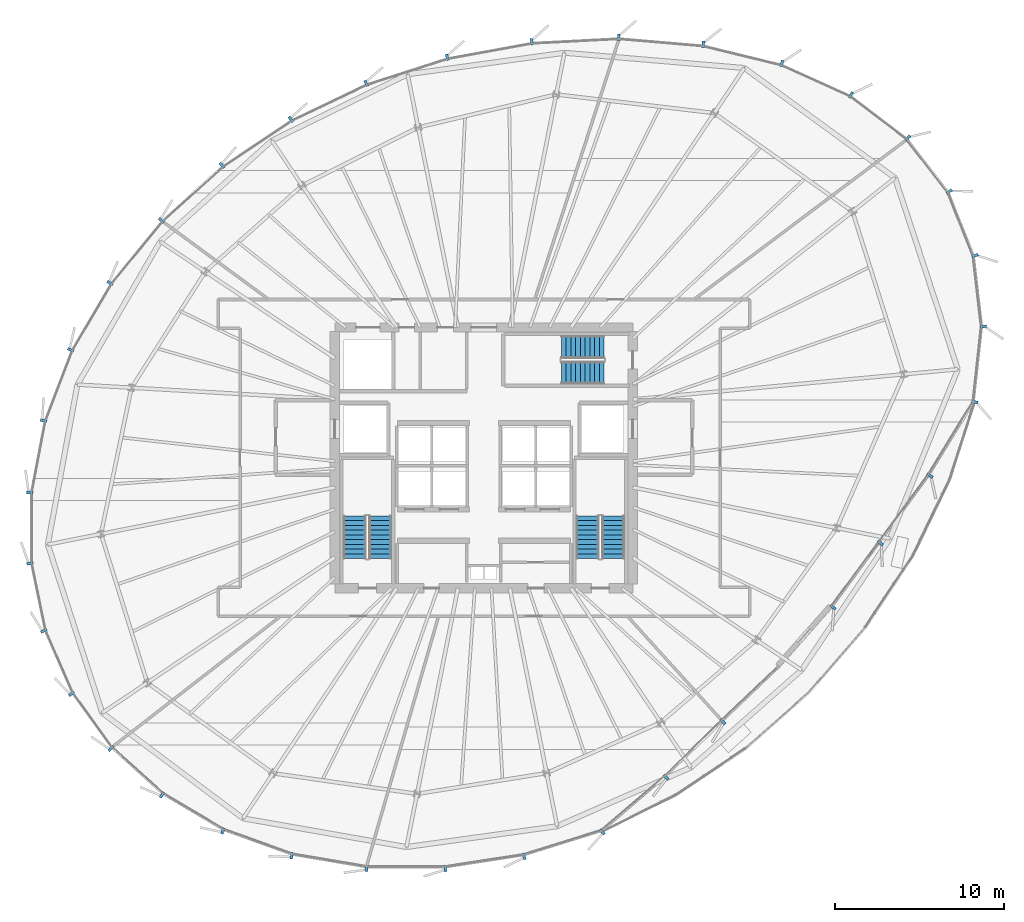
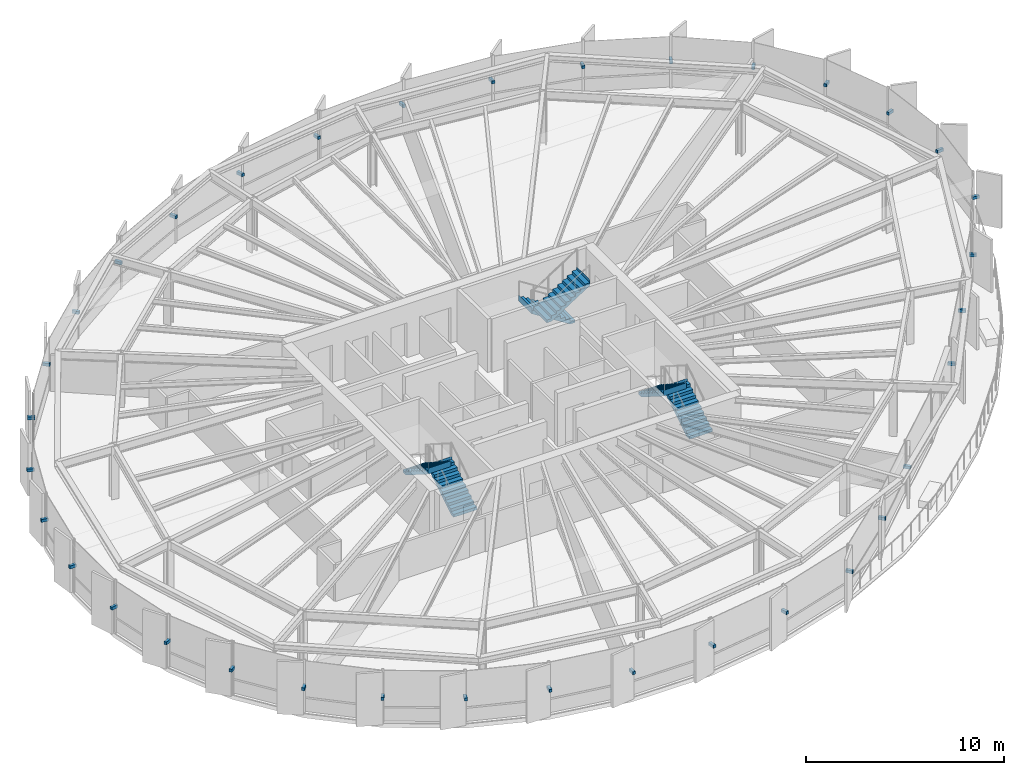
# One storey, part 30 of 34: 35 discrete accessories, 6 stair flights, 3 elements without a shape of their own.
"""IFC4 building model written with IfcOpenShell, lengths in metres."""

from ifc_helpers import new_model, si_unit, direction, frame, origin, origin_2d, place, context, subcontext, project, spatial, polyline, rectangle, outline, extrude, source, transform, mapped, material, type_object, element, aggregate, save


model = new_model("IFC4")

# Units and contexts
model_context = context("Model", 3, precision=1e-05, world=origin(), true_north=direction((0.0, 1.0)))
body_context = subcontext(model_context, "Body", "Model", "MODEL_VIEW")
ifc_project = project(units=[si_unit("LENGTHUNIT", "METRE"), si_unit("AREAUNIT", "SQUARE_METRE"), si_unit("VOLUMEUNIT", "CUBIC_METRE"), si_unit("PLANEANGLEUNIT", "RADIAN"), si_unit("MASSUNIT", "GRAM", prefix="KILO"), si_unit("THERMODYNAMICTEMPERATUREUNIT", "KELVIN")], contexts=[model_context])

# Site, building, storey
site_placement = place(None, origin())
site = spatial("IfcSite", under=ifc_project, at=site_placement, CompositionType="ELEMENT")
building_placement = place(site_placement, origin())
building = spatial("IfcBuilding", under=site, at=building_placement, Name="Kethvar Cultural Tower", CompositionType="ELEMENT")
storey_placement = place(building_placement, frame((0.0, 0.0, 153.64990234375)))
storey = spatial("IfcBuildingStorey", under=building, at=storey_placement, Name="L39", CompositionType="ELEMENT", Elevation=153.64990234375)

# Stair, stair flights
ifc_material_1 = material(Name="Concrete C40/50", Category="concrete")
stair_type = type_object("IfcStairType", Name="ST-DOGLEG-135", PredefinedType="HALF_TURN_STAIR", material=ifc_material_1)
stair_1_placement = place(storey_placement, origin())
stair_1 = element("IfcStair", 1, at=stair_1_placement, inside=storey, type_object=stair_type, Name="L39 Core Exit Stair 1", PredefinedType="HALF_TURN_STAIR")
stair_flight_type = type_object("IfcStairFlightType", Name="FL-STRAIGHT-135", PredefinedType="STRAIGHT", material=ifc_material_1)
stair_flight_1_placement = place(storey_placement, frame((40.675048828125, 21.85009765625, 0.0), z_axis=(0.0, 0.0, 1.0), x_axis=(0.0, 1.0, 0.0)))
stair_flight_1 = element("IfcStairFlight", 2, at=stair_flight_1_placement, type_object=stair_flight_type, Name="ST-01 flight 1", NumberOfRisers=10, NumberOfTreads=9, PredefinedType="STRAIGHT", RiserHeight=0.1775, TreadLength=0.28, context=body_context, shape_type="SweptSolid", body=[
    extrude(outline(polyline([(-0.0009765625, -0.0009765625), (-0.0009765625, 0.177490234375), (0.280029296875, 0.177490234375), (0.280029296875, 0.35498046875), (0.56005859375, 0.35498046875), (0.56005859375, 0.532470703125), (0.840087890625, 0.532470703125), (0.840087890625, 0.7099609375), (1.1201171875, 0.7099609375), (1.1201171875, 0.887451171875), (1.39990234375, 0.887451171875), (1.39990234375, 1.06494140625), (1.679931640625, 1.06494140625), (1.679931640625, 1.242431640625), (1.9599609375, 1.242431640625), (1.9599609375, 1.419921875), (2.239990234375, 1.419921875), (2.239990234375, 1.597412109375), (2.52001953125, 1.597412109375), (2.52001953125, 1.77490234375), (2.52099609375, 1.77490234375), (2.52099609375, 1.419921875), (0.280029296875, 0.0), (0.0, -0.0009765625), (-0.0009765625, -0.0009765625)])), frame((0.0, 0.675048828125, 0.0), z_axis=(0.0, -1.0, 0.0), x_axis=(1.0, 0.0, 0.0)), (0.0, 0.0, 1.0), 1.35009765625),
])
stair_flight_2_placement = place(storey_placement, frame((39.1650390625, 24.3701171875, 1.775146484375), z_axis=(0.0, 0.0, 1.0), x_axis=(0.0, -1.0, 0.0)))
stair_flight_2 = element("IfcStairFlight", 3, at=stair_flight_2_placement, type_object=stair_flight_type, Name="ST-01 flight 2", NumberOfRisers=10, NumberOfTreads=9, PredefinedType="STRAIGHT", RiserHeight=0.1775, TreadLength=0.28, context=body_context, shape_type="SweptSolid", body=[
    extrude(outline(polyline([(-0.0009765625, -0.0009765625), (-0.0009765625, 0.177490234375), (0.280029296875, 0.177490234375), (0.280029296875, 0.35498046875), (0.56005859375, 0.35498046875), (0.56005859375, 0.532470703125), (0.840087890625, 0.532470703125), (0.840087890625, 0.7099609375), (1.1201171875, 0.7099609375), (1.1201171875, 0.887451171875), (1.39990234375, 0.887451171875), (1.39990234375, 1.06494140625), (1.679931640625, 1.06494140625), (1.679931640625, 1.242431640625), (1.9599609375, 1.242431640625), (1.9599609375, 1.419921875), (2.239990234375, 1.419921875), (2.239990234375, 1.597412109375), (2.52001953125, 1.597412109375), (2.52001953125, 1.77490234375), (2.52099609375, 1.77490234375), (2.52099609375, 1.419921875), (0.280029296875, 0.0), (0.0, -0.0009765625), (-0.0009765625, -0.0009765625)])), frame((0.0, 0.675048828125, 0.0), z_axis=(0.0, -1.0, 0.0), x_axis=(1.0, 0.0, 0.0)), (0.0, 0.0, 1.0), 1.35009765625),
])
aggregate(stair_1, [stair_flight_1, stair_flight_2])

stair_2_placement = place(storey_placement, origin())
stair_2 = element("IfcStair", 4, at=stair_2_placement, inside=storey, type_object=stair_type, Name="L39 Core Exit Stair 2", PredefinedType="HALF_TURN_STAIR")
stair_flight_3_placement = place(storey_placement, frame((54.43505859375, 21.85009765625, 0.0), z_axis=(0.0, 0.0, 1.0), x_axis=(0.0, 1.0, 0.0)))
stair_flight_3 = element("IfcStairFlight", 5, at=stair_flight_3_placement, type_object=stair_flight_type, Name="ST-02 flight 1", NumberOfRisers=10, NumberOfTreads=9, PredefinedType="STRAIGHT", RiserHeight=0.1775, TreadLength=0.28, context=body_context, shape_type="SweptSolid", body=[
    extrude(outline(polyline([(-0.0009765625, -0.0009765625), (-0.0009765625, 0.177490234375), (0.280029296875, 0.177490234375), (0.280029296875, 0.35498046875), (0.56005859375, 0.35498046875), (0.56005859375, 0.532470703125), (0.840087890625, 0.532470703125), (0.840087890625, 0.7099609375), (1.1201171875, 0.7099609375), (1.1201171875, 0.887451171875), (1.39990234375, 0.887451171875), (1.39990234375, 1.06494140625), (1.679931640625, 1.06494140625), (1.679931640625, 1.242431640625), (1.9599609375, 1.242431640625), (1.9599609375, 1.419921875), (2.239990234375, 1.419921875), (2.239990234375, 1.597412109375), (2.52001953125, 1.597412109375), (2.52001953125, 1.77490234375), (2.52099609375, 1.77490234375), (2.52099609375, 1.419921875), (0.280029296875, 0.0), (0.0, -0.0009765625), (-0.0009765625, -0.0009765625)])), frame((0.0, 0.675048828125, 0.0), z_axis=(0.0, -1.0, 0.0), x_axis=(1.0, 0.0, 0.0)), (0.0, 0.0, 1.0), 1.35009765625),
])
stair_flight_4_placement = place(storey_placement, frame((52.925048828125, 24.3701171875, 1.775146484375), z_axis=(0.0, 0.0, 1.0), x_axis=(0.0, -1.0, 0.0)))
stair_flight_4 = element("IfcStairFlight", 6, at=stair_flight_4_placement, type_object=stair_flight_type, Name="ST-02 flight 2", NumberOfRisers=10, NumberOfTreads=9, PredefinedType="STRAIGHT", RiserHeight=0.1775, TreadLength=0.28, context=body_context, shape_type="SweptSolid", body=[
    extrude(outline(polyline([(-0.0009765625, -0.0009765625), (-0.0009765625, 0.177490234375), (0.280029296875, 0.177490234375), (0.280029296875, 0.35498046875), (0.56005859375, 0.35498046875), (0.56005859375, 0.532470703125), (0.840087890625, 0.532470703125), (0.840087890625, 0.7099609375), (1.1201171875, 0.7099609375), (1.1201171875, 0.887451171875), (1.39990234375, 0.887451171875), (1.39990234375, 1.06494140625), (1.679931640625, 1.06494140625), (1.679931640625, 1.242431640625), (1.9599609375, 1.242431640625), (1.9599609375, 1.419921875), (2.239990234375, 1.419921875), (2.239990234375, 1.597412109375), (2.52001953125, 1.597412109375), (2.52001953125, 1.77490234375), (2.52099609375, 1.77490234375), (2.52099609375, 1.419921875), (0.280029296875, 0.0), (0.0, -0.0009765625), (-0.0009765625, -0.0009765625)])), frame((0.0, 0.675048828125, 0.0), z_axis=(0.0, -1.0, 0.0), x_axis=(1.0, 0.0, 0.0)), (0.0, 0.0, 1.0), 1.35009765625),
])
aggregate(stair_2, [stair_flight_3, stair_flight_4])

stair_3_placement = place(storey_placement, origin())
stair_3 = element("IfcStair", 7, at=stair_3_placement, inside=storey, type_object=stair_type, Name="L39 Core Exit Stair 3", PredefinedType="HALF_TURN_STAIR")
stair_flight_5_placement = place(storey_placement, frame((53.89990234375, 34.3349609375, 0.0), z_axis=(0.0, 0.0, 1.0), x_axis=(-1.0, 0.0, 0.0)))
stair_flight_5 = element("IfcStairFlight", 8, at=stair_flight_5_placement, type_object=stair_flight_type, Name="ST-03 flight 1", NumberOfRisers=10, NumberOfTreads=9, PredefinedType="STRAIGHT", RiserHeight=0.1775, TreadLength=0.28, context=body_context, shape_type="SweptSolid", body=[
    extrude(outline(polyline([(-0.0009765625, -0.0009765625), (-0.0009765625, 0.177490234375), (0.280029296875, 0.177490234375), (0.280029296875, 0.35498046875), (0.56005859375, 0.35498046875), (0.56005859375, 0.532470703125), (0.840087890625, 0.532470703125), (0.840087890625, 0.7099609375), (1.1201171875, 0.7099609375), (1.1201171875, 0.887451171875), (1.39990234375, 0.887451171875), (1.39990234375, 1.06494140625), (1.679931640625, 1.06494140625), (1.679931640625, 1.242431640625), (1.9599609375, 1.242431640625), (1.9599609375, 1.419921875), (2.239990234375, 1.419921875), (2.239990234375, 1.597412109375), (2.52001953125, 1.597412109375), (2.52001953125, 1.77490234375), (2.52099609375, 1.77490234375), (2.52099609375, 1.419921875), (0.280029296875, 0.0), (0.0, -0.0009765625), (-0.0009765625, -0.0009765625)])), frame((0.0, 0.675048828125, 0.0), z_axis=(0.0, -1.0, 0.0), x_axis=(1.0, 0.0, 0.0)), (0.0, 0.0, 1.0), 1.35009765625),
])
stair_flight_6_placement = place(storey_placement, frame((51.3798828125, 32.824951171875, 1.775146484375), z_axis=(0.0, 0.0, 1.0), x_axis=(1.0, 0.0, 0.0)))
stair_flight_6 = element("IfcStairFlight", 9, at=stair_flight_6_placement, type_object=stair_flight_type, Name="ST-03 flight 2", NumberOfRisers=10, NumberOfTreads=9, PredefinedType="STRAIGHT", RiserHeight=0.1775, TreadLength=0.28, context=body_context, shape_type="SweptSolid", body=[
    extrude(outline(polyline([(-0.0009765625, -0.0009765625), (-0.0009765625, 0.177490234375), (0.280029296875, 0.177490234375), (0.280029296875, 0.35498046875), (0.56005859375, 0.35498046875), (0.56005859375, 0.532470703125), (0.840087890625, 0.532470703125), (0.840087890625, 0.7099609375), (1.1201171875, 0.7099609375), (1.1201171875, 0.887451171875), (1.39990234375, 0.887451171875), (1.39990234375, 1.06494140625), (1.679931640625, 1.06494140625), (1.679931640625, 1.242431640625), (1.9599609375, 1.242431640625), (1.9599609375, 1.419921875), (2.239990234375, 1.419921875), (2.239990234375, 1.597412109375), (2.52001953125, 1.597412109375), (2.52001953125, 1.77490234375), (2.52099609375, 1.77490234375), (2.52099609375, 1.419921875), (0.280029296875, 0.0), (0.0, -0.0009765625), (-0.0009765625, -0.0009765625)])), frame((0.0, 0.675048828125, 0.0), z_axis=(0.0, -1.0, 0.0), x_axis=(1.0, 0.0, 0.0)), (0.0, 0.0, 1.0), 1.35009765625),
])
aggregate(stair_3, [stair_flight_5, stair_flight_6])

# Discrete accessories
ifc_material_2 = material(Name="Steel S355J2", Category="steel")
discrete_accessory_type = type_object("IfcDiscreteAccessoryType", Name="Steel Fin Bracket BRK-01", PredefinedType="BRACKET", material=ifc_material_2)
shared_shape = source(origin(), body_context, "Body", "SweptSolid", [
    extrude(rectangle(XDim=0.3798828125, YDim=0.159912109375, at=origin_2d()), origin(), (0.0, 0.0, 1.0), 0.179931640625),
])
for number, where, z_axis, x_axis, name in (
    (10, (74.284912109375, 43.523193359375, 1.56005859375), (0.0, 0.0, 1.0), (0.791223532967, 0.611527040186, 0.0), "L39 Terracotta Fin Bracket 1.1"),
    (11, (71.840087890625, 46.685546875, 1.56005859375), (0.0, 0.0, 1.0), (0.605016094056, 0.796213241496, 0.0), "L39 Terracotta Fin Bracket 1.2"),
    (12, (68.48681640625, 49.23388671875, 1.56005859375), (0.0, 0.0, 1.0), (0.41215053779, 0.911115763336, 0.0), "L39 Terracotta Fin Bracket 1.3"),
    (13, (64.394775390625, 51.085205078125, 1.56005859375), (0.0, 0.0, 1.0), (0.237516357534, 0.971383539033, 0.0), "L39 Terracotta Fin Bracket 1.4"),
    (14, (59.752685546875, 52.2197265625, 1.56005859375), (0.0, 0.0, 1.0), (0.084895226275, 0.996389883808, 0.0), "L39 Terracotta Fin Bracket 1.5"),
    (15, (54.77197265625, 52.6435546875, 1.56005859375), (0.0, 0.0, 1.0), (-0.051464467756, 0.998674826237, 0.0), "L39 Terracotta Fin Bracket 1.6"),
    (16, (49.62939453125, 52.37353515625, 1.56005859375), (0.0, 0.0, 1.0), (-0.179489052822, 0.983759970682, 0.0), "L39 Terracotta Fin Bracket 2.1"),
    (17, (44.637451171875, 51.462646484375, 1.56005859375), (0.0, 0.0, 1.0), (-0.305695304963, 0.952129392742, 0.0), "L39 Terracotta Fin Bracket 2.2"),
    (18, (39.843505859375, 49.923095703125, 1.56005859375), (0.0, 0.0, 1.0), (-0.43271524133, 0.9015306539, 0.0), "L39 Terracotta Fin Bracket 2.3"),
    (19, (35.3974609375, 47.789306640625, 1.56005859375), (0.0, 0.0, 1.0), (-0.5562956155, 0.830984469274, 0.0), "L39 Terracotta Fin Bracket 2.4"),
    (20, (31.3369140625, 45.07080078125, 1.56005859375), (0.0, 0.0, 1.0), (-0.670297109534, 0.742092841193, 0.0), "L39 Terracotta Fin Bracket 2.5"),
    (21, (27.74609375, 41.827392578125, 1.56005859375), (0.0, 0.0, 1.0), (-0.772955089162, 0.634460739636, 0.0), "L39 Terracotta Fin Bracket 2.6"),
    (22, (24.714599609375, 38.124267578125, 1.56005859375), (0.0, 0.0, 1.0), (-0.862160180834, 0.50663578889, 0.0), "L39 Terracotta Fin Bracket 3.1"),
    (23, (22.392822265625, 34.173583984375, 1.56005859375), (0.0, 0.0, 1.0), (-0.933830386995, 0.357716100175, 0.0), "L39 Terracotta Fin Bracket 3.2"),
    (24, (20.79296875, 29.99560546875, 1.56005859375), (0.0, 0.0, 1.0), (-0.982287250729, 0.187381314586, 0.0), "L39 Terracotta Fin Bracket 3.3"),
    (25, (19.983154296875, 25.75048828125, 1.56005859375), (0.0, 0.0, 1.0), (-0.999999253687, -0.001221730172, 0.0), "L39 Terracotta Fin Bracket 3.4"),
    (26, (19.98828125, 21.56787109375, 1.56005859375), (0.0, 0.0, 1.0), (-0.979575249599, -0.201077921146, 0.0), "L39 Terracotta Fin Bracket 3.5"),
    (27, (20.80810546875, 17.57421875, 1.56005859375), (0.0, 0.0, 1.0), (-0.916292841518, -0.400508961926, 0.0), "L39 Terracotta Fin Bracket 3.6"),
    (28, (22.44091796875, 13.85986328125, 1.56005859375), (0.0, 0.0, 1.0), (-0.81116590101, -0.584816108738, 0.0), "L39 Terracotta Fin Bracket 4.1"),
    (29, (24.768798828125, 10.631591796875, 1.56005859375), (0.0, 0.0, 1.0), (-0.671720589323, -0.740804596287, 0.0), "L39 Terracotta Fin Bracket 4.2"),
    (30, (27.7890625, 7.893310546875, 1.56005859375), (0.0, 0.0, 1.0), (-0.510092630351, -0.860119473365, 0.0), "L39 Terracotta Fin Bracket 4.3"),
    (31, (31.38671875, 5.760009765625, 1.56005859375), (0.0, 0.0, 1.0), (-0.338737920245, -0.940880768954, 0.0), "L39 Terracotta Fin Bracket 4.4"),
    (32, (35.45263671875, 4.29638671875, 1.56005859375), (0.0, 0.0, 1.0), (-0.16745706111, -0.98587937025, 0.0), "L39 Terracotta Fin Bracket 4.5"),
    (33, (39.86328125, 3.547119140625, 1.56005859375), (0.0, 0.0, 1.0), (-0.002792523174, -0.9999961009, 0.0), "L39 Terracotta Fin Bracket 4.6"),
    (34, (44.523193359375, 3.540771484375, 1.56005859375), (0.0, 0.0, 1.0), (0.15264087019, -0.98828172337, 0.0), "L39 Terracotta Fin Bracket 5.1"),
    (35, (49.17626953125, 4.259521484375, 1.56005859375), (0.0, 0.0, 1.0), (0.297541506743, -0.954708883255, 0.0), "L39 Terracotta Fin Bracket 5.2"),
    (36, (53.7978515625, 5.700927734375, 1.56005859375), (0.0, 0.0, 1.0), (0.651436558597, -0.758703110659, 0.0), "L39 Terracotta Fin Bracket 5.3"),
    (37, (57.563720703125, 8.9345703125, 1.56005859375), (0.0, 0.0, 1.0), (0.698789925516, -0.715326946227, 0.0), "L39 Terracotta Fin Bracket 5.4"),
    (38, (60.92138671875, 12.21533203125, 1.56005859375), (0.0, 0.0, 1.0), (0.690251240234, -0.723569779188, 0.0), "L39 Terracotta Fin Bracket 5.5"),
    (39, (67.412109375, 18.9736328125, 1.56005859375), (0.0, 0.0, 1.0), (0.804271929332, -0.594261443885, 0.0), "L39 Terracotta Fin Bracket 6.1"),
    (40, (70.214111328125, 22.76513671875, 1.56005859375), (0.0, 0.0, 1.0), (0.805928282249, -0.592013178799, 0.0), "L39 Terracotta Fin Bracket 6.2"),
    (41, (73.14013671875, 26.748291015625, 1.56005859375), (0.0, 0.0, 1.0), (0.85282249881, -0.522200905326, 0.0), "L39 Terracotta Fin Bracket 6.3"),
    (42, (75.79931640625, 31.09326171875, 1.56005859375), (0.0, 0.0, 1.0), (0.994037322228, -0.109040368753, 0.0), "L39 Terracotta Fin Bracket 6.4"),
    (43, (76.28857421875, 35.55810546875, 1.56005859375), (0.0, 0.0, 1.0), (0.99329228226, 0.115630627445, 0.0), "L39 Terracotta Fin Bracket 6.5"),
    (44, (75.801513671875, 39.7421875, 1.56005859375), (0.0, 0.0, 1.0), (0.929132571534, 0.369746757274, 0.0), "L39 Terracotta Fin Bracket 6.6"),
):
    element("IfcDiscreteAccessory", number, at=place(storey_placement, frame(where, z_axis=z_axis, x_axis=x_axis)), inside=storey, type_object=discrete_accessory_type, Name=name, PredefinedType="BRACKET", context=body_context, shape_type="MappedRepresentation", body=[
        mapped(shared_shape, transform((0.0, 0.0, 0.0), scale=1.0)),
    ])

save(model, "model.ifc")
